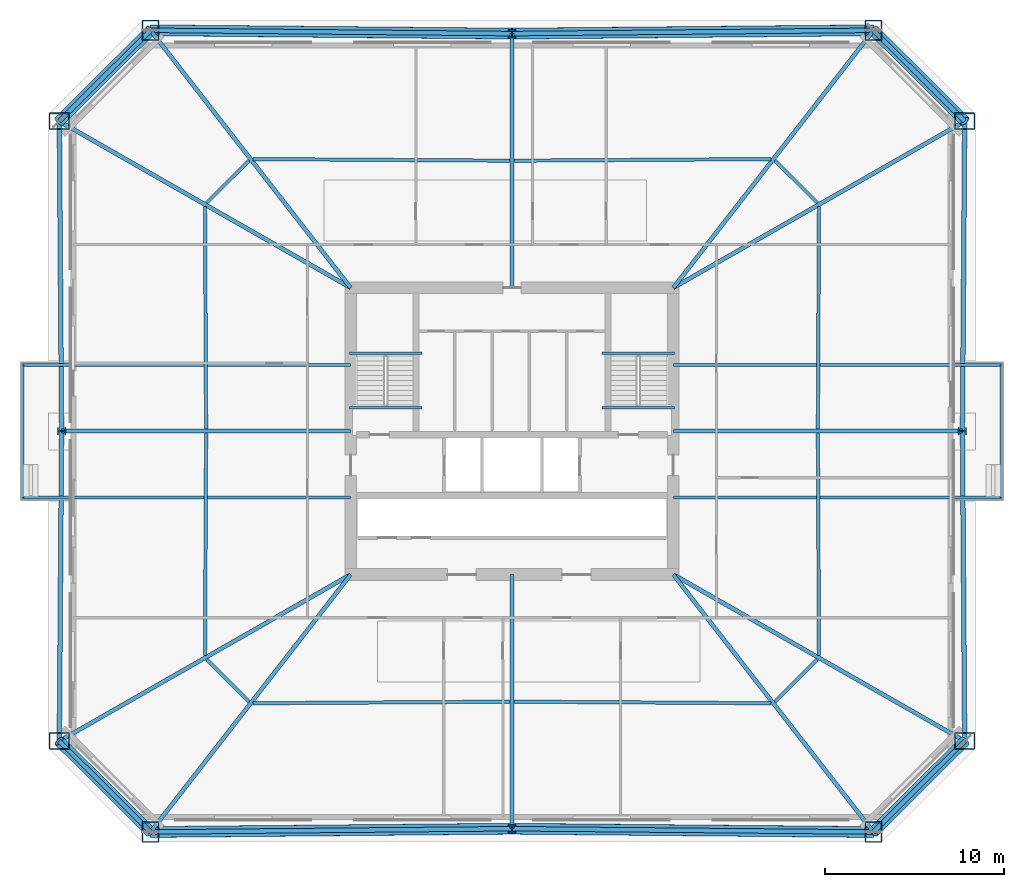
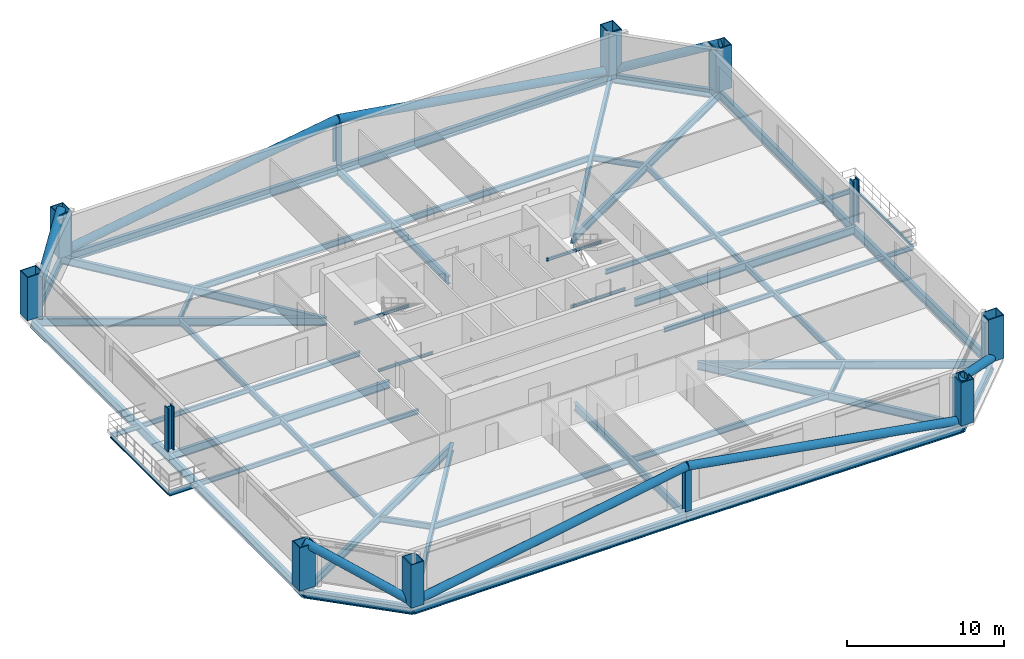
# One storey, part 1 of 10: 46 beams, 12 columns, 8 members.
"""IFC4 building model written with IfcOpenShell, lengths in metres."""

from ifc_helpers import new_model, si_unit, direction, frame, origin, origin_2d, place, context, subcontext, project, spatial, hollow_rectangle, hollow_circle, i_section, extrude, material, material_profile, profile_set, type_object, element, save


model = new_model("IFC4")

# Units and contexts
model_context = context("Model", 3, precision=1e-05, world=origin(), true_north=direction((0.0, 1.0)))
body_context = subcontext(model_context, "Body", "Model", "MODEL_VIEW")
ifc_project = project(units=[si_unit("LENGTHUNIT", "METRE"), si_unit("AREAUNIT", "SQUARE_METRE"), si_unit("VOLUMEUNIT", "CUBIC_METRE"), si_unit("PLANEANGLEUNIT", "RADIAN"), si_unit("MASSUNIT", "GRAM", prefix="KILO")], contexts=[model_context])

# Site, building, storey
site_placement = place(None, origin())
site = spatial("IfcSite", under=ifc_project, at=site_placement, CompositionType="ELEMENT")
building_placement = place(site_placement, origin())
building = spatial("IfcBuilding", under=site, at=building_placement, Name="Caelvoria Tower", CompositionType="ELEMENT")
storey_placement = place(building_placement, frame((0.0, 0.0, 60.39990234375)))
storey = spatial("IfcBuildingStorey", under=building, at=storey_placement, Name="L15", CompositionType="ELEMENT", Elevation=60.39990234375)

# Columns
ifc_material_1 = material(Name="Structural Steel ASTM A913 Gr.65", Category="steel")
ifc_material_profile_1 = material_profile(ifc_material_1, i_section(OverallWidth=0.427978515625, OverallDepth=0.48291015625, WebThickness=0.050537109375, FlangeThickness=0.08154296875, FilletRadius=0.02490234375, at=origin_2d()), Name="Structural Steel ASTM A913 Gr.65")
ifc_profile_set_1 = profile_set([ifc_material_profile_1], Name="W360X677 - Structural Steel ASTM A913 Gr.65")
column_type_1 = type_object("IfcColumnType", Name="Heavy Frame Column W360X677", PredefinedType="COLUMN", material=ifc_profile_set_1)
for number, where, z_axis, x_axis, name in (
    (1, (46.0, 9.820068359375, 0.0), (0.0, 0.0, 1.0), (1.0, 0.0, 0.0), "Perimeter Megaframe Column L15-P01"),
    (2, (71.1298828125, 32.0, 0.0), (0.0, 0.0, 1.0), (0.0, 1.0, 0.0), "Perimeter Megaframe Column L15-P04"),
    (3, (46.0, 54.179931640625, 0.0), (0.0, 0.0, 1.0), (1.0, 0.0, 0.0), "Perimeter Megaframe Column L15-P07"),
    (4, (20.8701171875, 32.0, 0.0), (0.0, 0.0, 1.0), (0.0, 1.0, 0.0), "Perimeter Megaframe Column L15-P10"),
):
    element("IfcColumn", number, at=place(storey_placement, frame(where, z_axis=z_axis, x_axis=x_axis)), inside=storey, type_object=column_type_1, Name=name, PredefinedType="COLUMN", context=body_context, shape_type="SweptSolid", body=[
        extrude(i_section(OverallWidth=0.427978515625, OverallDepth=0.48291015625, WebThickness=0.050537109375, FlangeThickness=0.08154296875, FilletRadius=0.02490234375, at=origin_2d()), origin(), (0.0, 0.0, 1.0), 3.358154296875),
    ])
ifc_material_2 = material(Name="Structural Steel ASTM A572 Gr.50", Category="steel")
ifc_material_profile_2 = material_profile(ifc_material_2, hollow_rectangle(XDim=0.949951171875, YDim=1.14990234375, WallThickness=0.06005859375, at=origin_2d()), Name="Structural Steel ASTM A572 Gr.50")
ifc_profile_set_2 = profile_set([ifc_material_profile_2], Name="BOX1150X950X60 - Structural Steel ASTM A572 Gr.50")
column_type_2 = type_object("IfcColumnType", Name="Mega Box Column 1150x950x60", PredefinedType="COLUMN", material=ifc_profile_set_2)
for number, where, z_axis, x_axis, name in (
    (5, (25.832275390625, 9.634765625, 0.0), (0.0, 0.0, 1.0), (1.0, 0.0, 0.0), "Perimeter Megaframe Column L15-P00"),
    (6, (66.167724609375, 9.634765625, 0.0), (0.0, 0.0, 1.0), (1.0, 0.0, 0.0), "Perimeter Megaframe Column L15-P02"),
    (7, (71.255859375, 14.706787109375, 0.0), (0.0, 0.0, 1.0), (0.0, 1.0, 0.0), "Perimeter Megaframe Column L15-P03"),
    (8, (71.255859375, 49.293212890625, 0.0), (0.0, 0.0, 1.0), (0.0, 1.0, 0.0), "Perimeter Megaframe Column L15-P05"),
    (9, (66.167724609375, 54.365234375, 0.0), (0.0, 0.0, 1.0), (1.0, 0.0, 0.0), "Perimeter Megaframe Column L15-P06"),
    (10, (25.832275390625, 54.365234375, 0.0), (0.0, 0.0, 1.0), (1.0, 0.0, 0.0), "Perimeter Megaframe Column L15-P08"),
    (11, (20.744140625, 49.293212890625, 0.0), (0.0, 0.0, 1.0), (0.0, 1.0, 0.0), "Perimeter Megaframe Column L15-P09"),
    (12, (20.744140625, 14.706787109375, 0.0), (0.0, 0.0, 1.0), (0.0, 1.0, 0.0), "Perimeter Megaframe Column L15-P11"),
):
    element("IfcColumn", number, at=place(storey_placement, frame(where, z_axis=z_axis, x_axis=x_axis)), inside=storey, type_object=column_type_2, Name=name, PredefinedType="COLUMN", context=body_context, shape_type="SweptSolid", body=[
        extrude(hollow_rectangle(XDim=0.949951171875, YDim=1.14990234375, WallThickness=0.06005859375, at=origin_2d()), origin(), (0.0, 0.0, 1.0), 3.358154296875),
    ])

# Beams
ifc_material_3 = material(Name="Structural Steel ASTM A992 Gr.50", Category="steel")
ifc_material_profile_3 = material_profile(ifc_material_3, i_section(OverallWidth=0.134033203125, OverallDepth=0.2099609375, WebThickness=0.00634765625, FlangeThickness=0.01025390625, FilletRadius=0.010009765625, at=origin_2d()), Name="Structural Steel ASTM A992 Gr.50")
ifc_profile_set_3 = profile_set([ifc_material_profile_3], Name="W200X31.3 - Structural Steel ASTM A992 Gr.50")
beam_type_1 = type_object("IfcBeamType", Name="Canopy Edge Trim Beam W200X31.3", PredefinedType="BEAM", material=ifc_profile_set_3)
for number, where, z_axis, x_axis, name in (
    (13, (18.699951171875, 28.300048828125, -0.428955078125), (0.0, 1.0, 0.0), (-1.0, 0.0, 0.0), "Tree Balcony Edge Beam TB-L15-W"),
    (14, (73.300048828125, 28.300048828125, -0.428955078125), (0.0, 1.0, 0.0), (-1.0, 0.0, 0.0), "Tree Balcony Edge Beam TB-L15-E"),
):
    element("IfcBeam", number, at=place(storey_placement, frame(where, z_axis=z_axis, x_axis=x_axis)), inside=storey, type_object=beam_type_1, Name=name, PredefinedType="BEAM", context=body_context, shape_type="SweptSolid", body=[
        extrude(i_section(OverallWidth=0.134033203125, OverallDepth=0.2099609375, WebThickness=0.00634765625, FlangeThickness=0.01025390625, FilletRadius=0.010009765625, at=origin_2d()), origin(), (0.0, 0.0, 1.0), 7.39990234375),
    ])
for number, where, z_axis, x_axis, name in (
    (15, (36.929931640625, 36.35009765625, 1.4951171875), (1.0, 0.0, 0.0), (0.0, 1.0, 0.0), "ST-01 Half-Landing Support Beam L15"),
    (16, (36.929931640625, 33.300048828125, -0.304931640625), (1.0, 0.0, 0.0), (0.0, 1.0, 0.0), "ST-01 Floor-Landing Support Beam L15"),
    (17, (51.030029296875, 36.35009765625, 1.4951171875), (1.0, 0.0, 0.0), (0.0, 1.0, 0.0), "ST-02 Half-Landing Support Beam L15"),
    (18, (51.030029296875, 33.300048828125, -0.304931640625), (1.0, 0.0, 0.0), (0.0, 1.0, 0.0), "ST-02 Floor-Landing Support Beam L15"),
):
    element("IfcBeam", number, at=place(storey_placement, frame(where, z_axis=z_axis, x_axis=x_axis)), inside=storey, type_object=beam_type_1, Name=name, PredefinedType="BEAM", context=body_context, shape_type="SweptSolid", body=[
        extrude(i_section(OverallWidth=0.134033203125, OverallDepth=0.2099609375, WebThickness=0.00634765625, FlangeThickness=0.01025390625, FilletRadius=0.010009765625, at=origin_2d()), origin(), (0.0, 0.0, 1.0), 4.0400390625),
    ])

# Members
ifc_material_profile_4 = material_profile(ifc_material_2, hollow_circle(Radius=0.304931640625, WallThickness=0.02490234375, at=origin_2d()), Name="Structural Steel ASTM A572 Gr.50")
ifc_profile_set_4 = profile_set([ifc_material_profile_4], Name="CHS610X25 - Structural Steel ASTM A572 Gr.50")
member_type = type_object("IfcMemberType", Name="Lower Perimeter Mega Brace CHS610X25", PredefinedType="BRACE", material=ifc_profile_set_4)
for number, where, z_axis, x_axis, name in (
    (19, (71.255859375, 14.706787109375, 0.0), (-0.641529419637, -0.639497802071, 0.42365382671), (0.705984472563, -0.70822731132, 0.0), "Perimeter Chamfer Mega Brace L15 SE"),
    (20, (66.167724609375, 54.365234375, 0.0), (0.641529419637, -0.639497802071, 0.42365382671), (0.705984472563, 0.70822731132, 0.0), "Perimeter Chamfer Mega Brace L15 NE"),
    (21, (20.744140625, 49.293212890625, 0.0), (0.641529419637, 0.639497802071, 0.42365382671), (-0.705984472563, 0.70822731132, 0.0), "Perimeter Chamfer Mega Brace L15 NW"),
    (22, (25.832275390625, 9.634765625, 0.0), (-0.641529419637, 0.639497802071, 0.42365382671), (-0.705984472563, -0.70822731132, 0.0), "Perimeter Chamfer Mega Brace L15 SW"),
):
    element("IfcMember", number, at=place(storey_placement, frame(where, z_axis=z_axis, x_axis=x_axis)), inside=storey, type_object=member_type, Name=name, PredefinedType="BRACE", context=body_context, shape_type="SweptSolid", body=[
        extrude(hollow_circle(Radius=0.304931640625, WallThickness=0.02490234375, at=origin_2d()), origin(), (0.0, 0.0, 1.0), 7.93115234375),
    ])
for number, where, z_axis, x_axis, name in (
    (23, (25.832275390625, 9.634765625, 0.0), (0.986362771854, 0.009062783346, 0.16433608325), (-0.009187695526, 0.999957792235, 0.0), "Perimeter Cardinal Mega Brace L15 SA"),
    (24, (66.167724609375, 9.634765625, 0.0), (-0.986362771854, 0.009062783346, 0.16433608325), (-0.009187695526, -0.999957792235, 0.0), "Perimeter Cardinal Mega Brace L15 SB"),
    (25, (66.167724609375, 54.365234375, 0.0), (-0.986362771854, -0.009062783346, 0.16433608325), (0.009187695526, -0.999957792235, 0.0), "Perimeter Cardinal Mega Brace L15 NA"),
    (26, (25.832275390625, 54.365234375, 0.0), (0.986362771854, -0.009062783346, 0.16433608325), (0.009187695526, 0.999957792235, 0.0), "Perimeter Cardinal Mega Brace L15 NB"),
):
    element("IfcMember", number, at=place(storey_placement, frame(where, z_axis=z_axis, x_axis=x_axis)), inside=storey, type_object=member_type, Name=name, PredefinedType="BRACE", context=body_context, shape_type="SweptSolid", body=[
        extrude(hollow_circle(Radius=0.304931640625, WallThickness=0.02490234375, at=origin_2d()), origin(), (0.0, 0.0, 1.0), 20.446533203125),
    ])

# Beams
ifc_material_profile_5 = material_profile(ifc_material_3, i_section(OverallWidth=0.25390625, OverallDepth=0.68798828125, WebThickness=0.01318359375, FlangeThickness=0.02099609375, FilletRadius=0.01904296875, at=origin_2d()), Name="Structural Steel ASTM A992 Gr.50")
ifc_profile_set_5 = profile_set([ifc_material_profile_5], Name="W690X152 - Structural Steel ASTM A992 Gr.50")
beam_type_2 = type_object("IfcBeamType", Name="Perimeter Spandrel Girder W690X152", PredefinedType="BEAM", material=ifc_profile_set_5)
for number, where, z_axis, x_axis, name in (
    (27, (25.832275390625, 9.634765625, -0.583984375), (0.999957792235, 0.009187695526, 0.0), (-0.009187695526, 0.999957792235, 0.0), "Perimeter Spandrel Girder L15-00"),
    (28, (46.0, 9.820068359375, -0.583984375), (0.999957792235, -0.009187695526, 0.0), (0.009187695526, 0.999957792235, 0.0), "Perimeter Spandrel Girder L15-01"),
):
    element("IfcBeam", number, at=place(storey_placement, frame(where, z_axis=z_axis, x_axis=x_axis)), inside=storey, type_object=beam_type_2, Name=name, PredefinedType="BEAM", context=body_context, shape_type="SweptSolid", body=[
        extrude(i_section(OverallWidth=0.25390625, OverallDepth=0.68798828125, WebThickness=0.01318359375, FlangeThickness=0.02099609375, FilletRadius=0.01904296875, at=origin_2d()), origin(), (0.0, 0.0, 1.0), 20.16845703125),
    ])
beam_1_placement = place(storey_placement, frame((66.167724609375, 9.634765625, -0.583984375), z_axis=(0.70822731132, 0.705984472563, 0.0), x_axis=(-0.705984472563, 0.70822731132, 0.0)))
element("IfcBeam", 29, at=beam_1_placement, inside=storey, type_object=beam_type_2, Name="Perimeter Spandrel Girder L15-02", PredefinedType="BEAM", context=body_context, shape_type="SweptSolid", body=[
    extrude(i_section(OverallWidth=0.25390625, OverallDepth=0.68798828125, WebThickness=0.01318359375, FlangeThickness=0.02099609375, FilletRadius=0.01904296875, at=origin_2d()), origin(), (0.0, 0.0, 1.0), 7.184326171875),
])
for number, where, z_axis, x_axis, name in (
    (30, (71.255859375, 14.706787109375, -0.583984375), (-0.00728454688, 0.999973467336, 0.0), (-0.999973467336, -0.00728454688, 0.0), "Perimeter Spandrel Girder L15-03"),
    (31, (71.1298828125, 32.0, -0.583984375), (0.00728454688, 0.999973467336, 0.0), (-0.999973467336, 0.00728454688, 0.0), "Perimeter Spandrel Girder L15-04"),
):
    element("IfcBeam", number, at=place(storey_placement, frame(where, z_axis=z_axis, x_axis=x_axis)), inside=storey, type_object=beam_type_2, Name=name, PredefinedType="BEAM", context=body_context, shape_type="SweptSolid", body=[
        extrude(i_section(OverallWidth=0.25390625, OverallDepth=0.68798828125, WebThickness=0.01318359375, FlangeThickness=0.02099609375, FilletRadius=0.01904296875, at=origin_2d()), origin(), (0.0, 0.0, 1.0), 17.293701171875),
    ])
beam_2_placement = place(storey_placement, frame((71.255859375, 49.293212890625, -0.583984375), z_axis=(-0.70822731132, 0.705984472563, 0.0), x_axis=(-0.705984472563, -0.70822731132, 0.0)))
element("IfcBeam", 32, at=beam_2_placement, inside=storey, type_object=beam_type_2, Name="Perimeter Spandrel Girder L15-05", PredefinedType="BEAM", context=body_context, shape_type="SweptSolid", body=[
    extrude(i_section(OverallWidth=0.25390625, OverallDepth=0.68798828125, WebThickness=0.01318359375, FlangeThickness=0.02099609375, FilletRadius=0.01904296875, at=origin_2d()), origin(), (0.0, 0.0, 1.0), 7.184326171875),
])
for number, where, z_axis, x_axis, name in (
    (33, (66.167724609375, 54.365234375, -0.583984375), (-0.999957792235, -0.009187695526, 0.0), (0.009187695526, -0.999957792235, 0.0), "Perimeter Spandrel Girder L15-06"),
    (34, (46.0, 54.179931640625, -0.583984375), (-0.999957792235, 0.009187695526, 0.0), (-0.009187695526, -0.999957792235, 0.0), "Perimeter Spandrel Girder L15-07"),
):
    element("IfcBeam", number, at=place(storey_placement, frame(where, z_axis=z_axis, x_axis=x_axis)), inside=storey, type_object=beam_type_2, Name=name, PredefinedType="BEAM", context=body_context, shape_type="SweptSolid", body=[
        extrude(i_section(OverallWidth=0.25390625, OverallDepth=0.68798828125, WebThickness=0.01318359375, FlangeThickness=0.02099609375, FilletRadius=0.01904296875, at=origin_2d()), origin(), (0.0, 0.0, 1.0), 20.16845703125),
    ])
beam_3_placement = place(storey_placement, frame((25.832275390625, 54.365234375, -0.583984375), z_axis=(-0.70822731132, -0.705984472563, 0.0), x_axis=(0.705984472563, -0.70822731132, 0.0)))
element("IfcBeam", 35, at=beam_3_placement, inside=storey, type_object=beam_type_2, Name="Perimeter Spandrel Girder L15-08", PredefinedType="BEAM", context=body_context, shape_type="SweptSolid", body=[
    extrude(i_section(OverallWidth=0.25390625, OverallDepth=0.68798828125, WebThickness=0.01318359375, FlangeThickness=0.02099609375, FilletRadius=0.01904296875, at=origin_2d()), origin(), (0.0, 0.0, 1.0), 7.184326171875),
])
for number, where, z_axis, x_axis, name in (
    (36, (20.744140625, 49.293212890625, -0.583984375), (0.00728454688, -0.999973467336, 0.0), (0.999973467336, 0.00728454688, 0.0), "Perimeter Spandrel Girder L15-09"),
    (37, (20.8701171875, 32.0, -0.583984375), (-0.00728454688, -0.999973467336, 0.0), (0.999973467336, -0.00728454688, 0.0), "Perimeter Spandrel Girder L15-10"),
):
    element("IfcBeam", number, at=place(storey_placement, frame(where, z_axis=z_axis, x_axis=x_axis)), inside=storey, type_object=beam_type_2, Name=name, PredefinedType="BEAM", context=body_context, shape_type="SweptSolid", body=[
        extrude(i_section(OverallWidth=0.25390625, OverallDepth=0.68798828125, WebThickness=0.01318359375, FlangeThickness=0.02099609375, FilletRadius=0.01904296875, at=origin_2d()), origin(), (0.0, 0.0, 1.0), 17.293701171875),
    ])
beam_4_placement = place(storey_placement, frame((20.744140625, 14.706787109375, -0.583984375), z_axis=(0.70822731132, -0.705984472563, 0.0), x_axis=(0.705984472563, 0.70822731132, 0.0)))
element("IfcBeam", 38, at=beam_4_placement, inside=storey, type_object=beam_type_2, Name="Perimeter Spandrel Girder L15-11", PredefinedType="BEAM", context=body_context, shape_type="SweptSolid", body=[
    extrude(i_section(OverallWidth=0.25390625, OverallDepth=0.68798828125, WebThickness=0.01318359375, FlangeThickness=0.02099609375, FilletRadius=0.01904296875, at=origin_2d()), origin(), (0.0, 0.0, 1.0), 7.184326171875),
])
ifc_material_profile_6 = material_profile(ifc_material_3, i_section(OverallWidth=0.22900390625, OverallDepth=0.612060546875, WebThickness=0.011962890625, FlangeThickness=0.01953125, FilletRadius=0.01806640625, at=origin_2d()), Name="Structural Steel ASTM A992 Gr.50")
ifc_profile_set_6 = profile_set([ifc_material_profile_6], Name="W610X125 - Structural Steel ASTM A992 Gr.50")
beam_type_3 = type_object("IfcBeamType", Name="Primary Radial Floor Girder W610X125", PredefinedType="BEAM", material=ifc_profile_set_6)
beam_5_placement = place(storey_placement, frame((37.0, 24.0, -0.5458984375), z_axis=(-0.613761317889, -0.789491636854, 0.0), x_axis=(0.789491636854, -0.613761317889, 0.0)))
element("IfcBeam", 39, at=beam_5_placement, inside=storey, type_object=beam_type_3, Name="Primary Floor Girder L15-00", PredefinedType="BEAM", context=body_context, shape_type="SweptSolid", body=[
    extrude(i_section(OverallWidth=0.22900390625, OverallDepth=0.612060546875, WebThickness=0.011962890625, FlangeThickness=0.01953125, FilletRadius=0.01806640625, at=origin_2d()), origin(), (0.0, 0.0, 1.0), 18.195556640625),
])
beam_6_placement = place(storey_placement, frame((46.0, 24.0, -0.5458984375), z_axis=(0.0, -1.0, 0.0), x_axis=(1.0, 0.0, 0.0)))
element("IfcBeam", 40, at=beam_6_placement, inside=storey, type_object=beam_type_3, Name="Primary Floor Girder L15-01", PredefinedType="BEAM", context=body_context, shape_type="SweptSolid", body=[
    extrude(i_section(OverallWidth=0.22900390625, OverallDepth=0.612060546875, WebThickness=0.011962890625, FlangeThickness=0.01953125, FilletRadius=0.01806640625, at=origin_2d()), origin(), (0.0, 0.0, 1.0), 14.179931640625),
])
beam_7_placement = place(storey_placement, frame((55.0, 24.0, -0.5458984375), z_axis=(0.613761317889, -0.789491636854, 0.0), x_axis=(0.789491636854, 0.613761317889, 0.0)))
element("IfcBeam", 41, at=beam_7_placement, inside=storey, type_object=beam_type_3, Name="Primary Floor Girder L15-02", PredefinedType="BEAM", context=body_context, shape_type="SweptSolid", body=[
    extrude(i_section(OverallWidth=0.22900390625, OverallDepth=0.612060546875, WebThickness=0.011962890625, FlangeThickness=0.01953125, FilletRadius=0.01806640625, at=origin_2d()), origin(), (0.0, 0.0, 1.0), 18.195556640625),
])
beam_8_placement = place(storey_placement, frame((55.0, 24.0, -0.5458984375), z_axis=(0.86814764497, -0.496306021053, 0.0), x_axis=(0.496306021053, 0.86814764497, 0.0)))
element("IfcBeam", 42, at=beam_8_placement, inside=storey, type_object=beam_type_3, Name="Primary Floor Girder L15-03", PredefinedType="BEAM", context=body_context, shape_type="SweptSolid", body=[
    extrude(i_section(OverallWidth=0.22900390625, OverallDepth=0.612060546875, WebThickness=0.011962890625, FlangeThickness=0.01953125, FilletRadius=0.01806640625, at=origin_2d()), origin(), (0.0, 0.0, 1.0), 18.724853515625),
])
beam_9_placement = place(storey_placement, frame((55.0, 32.0, -0.5458984375), z_axis=(1.0, 0.0, 0.0), x_axis=(0.0, 1.0, 0.0)))
element("IfcBeam", 43, at=beam_9_placement, inside=storey, type_object=beam_type_3, Name="Primary Floor Girder L15-04", PredefinedType="BEAM", context=body_context, shape_type="SweptSolid", body=[
    extrude(i_section(OverallWidth=0.22900390625, OverallDepth=0.612060546875, WebThickness=0.011962890625, FlangeThickness=0.01953125, FilletRadius=0.01806640625, at=origin_2d()), origin(), (0.0, 0.0, 1.0), 16.1298828125),
])
beam_10_placement = place(storey_placement, frame((55.0, 40.0, -0.5458984375), z_axis=(0.86814764497, 0.496306021053, 0.0), x_axis=(-0.496306021053, 0.86814764497, 0.0)))
element("IfcBeam", 44, at=beam_10_placement, inside=storey, type_object=beam_type_3, Name="Primary Floor Girder L15-05", PredefinedType="BEAM", context=body_context, shape_type="SweptSolid", body=[
    extrude(i_section(OverallWidth=0.22900390625, OverallDepth=0.612060546875, WebThickness=0.011962890625, FlangeThickness=0.01953125, FilletRadius=0.01806640625, at=origin_2d()), origin(), (0.0, 0.0, 1.0), 18.724853515625),
])
beam_11_placement = place(storey_placement, frame((55.0, 40.0, -0.5458984375), z_axis=(0.613761317889, 0.789491636854, 0.0), x_axis=(-0.789491636854, 0.613761317889, 0.0)))
element("IfcBeam", 45, at=beam_11_placement, inside=storey, type_object=beam_type_3, Name="Primary Floor Girder L15-06", PredefinedType="BEAM", context=body_context, shape_type="SweptSolid", body=[
    extrude(i_section(OverallWidth=0.22900390625, OverallDepth=0.612060546875, WebThickness=0.011962890625, FlangeThickness=0.01953125, FilletRadius=0.01806640625, at=origin_2d()), origin(), (0.0, 0.0, 1.0), 18.195556640625),
])
beam_12_placement = place(storey_placement, frame((46.0, 40.0, -0.5458984375), z_axis=(0.0, 1.0, 0.0), x_axis=(-1.0, 0.0, 0.0)))
element("IfcBeam", 46, at=beam_12_placement, inside=storey, type_object=beam_type_3, Name="Primary Floor Girder L15-07", PredefinedType="BEAM", context=body_context, shape_type="SweptSolid", body=[
    extrude(i_section(OverallWidth=0.22900390625, OverallDepth=0.612060546875, WebThickness=0.011962890625, FlangeThickness=0.01953125, FilletRadius=0.01806640625, at=origin_2d()), origin(), (0.0, 0.0, 1.0), 14.179931640625),
])
beam_13_placement = place(storey_placement, frame((37.0, 40.0, -0.5458984375), z_axis=(-0.613761317889, 0.789491636854, 0.0), x_axis=(-0.789491636854, -0.613761317889, 0.0)))
element("IfcBeam", 47, at=beam_13_placement, inside=storey, type_object=beam_type_3, Name="Primary Floor Girder L15-08", PredefinedType="BEAM", context=body_context, shape_type="SweptSolid", body=[
    extrude(i_section(OverallWidth=0.22900390625, OverallDepth=0.612060546875, WebThickness=0.011962890625, FlangeThickness=0.01953125, FilletRadius=0.01806640625, at=origin_2d()), origin(), (0.0, 0.0, 1.0), 18.195556640625),
])
beam_14_placement = place(storey_placement, frame((37.0, 40.0, -0.5458984375), z_axis=(-0.86814764497, 0.496306021053, 0.0), x_axis=(-0.496306021053, -0.86814764497, 0.0)))
element("IfcBeam", 48, at=beam_14_placement, inside=storey, type_object=beam_type_3, Name="Primary Floor Girder L15-09", PredefinedType="BEAM", context=body_context, shape_type="SweptSolid", body=[
    extrude(i_section(OverallWidth=0.22900390625, OverallDepth=0.612060546875, WebThickness=0.011962890625, FlangeThickness=0.01953125, FilletRadius=0.01806640625, at=origin_2d()), origin(), (0.0, 0.0, 1.0), 18.724853515625),
])
beam_15_placement = place(storey_placement, frame((37.0, 32.0, -0.5458984375), z_axis=(-1.0, 0.0, 0.0), x_axis=(0.0, -1.0, 0.0)))
element("IfcBeam", 49, at=beam_15_placement, inside=storey, type_object=beam_type_3, Name="Primary Floor Girder L15-10", PredefinedType="BEAM", context=body_context, shape_type="SweptSolid", body=[
    extrude(i_section(OverallWidth=0.22900390625, OverallDepth=0.612060546875, WebThickness=0.011962890625, FlangeThickness=0.01953125, FilletRadius=0.01806640625, at=origin_2d()), origin(), (0.0, 0.0, 1.0), 16.1298828125),
])
beam_16_placement = place(storey_placement, frame((37.0, 24.0, -0.5458984375), z_axis=(-0.86814764497, -0.496306021053, 0.0), x_axis=(0.496306021053, -0.86814764497, 0.0)))
element("IfcBeam", 50, at=beam_16_placement, inside=storey, type_object=beam_type_3, Name="Primary Floor Girder L15-11", PredefinedType="BEAM", context=body_context, shape_type="SweptSolid", body=[
    extrude(i_section(OverallWidth=0.22900390625, OverallDepth=0.612060546875, WebThickness=0.011962890625, FlangeThickness=0.01953125, FilletRadius=0.01806640625, at=origin_2d()), origin(), (0.0, 0.0, 1.0), 18.724853515625),
])
ifc_material_profile_7 = material_profile(ifc_material_3, i_section(OverallWidth=0.18994140625, OverallDepth=0.45703125, WebThickness=0.009033203125, FlangeThickness=0.014404296875, FilletRadius=0.014892578125, at=origin_2d()), Name="Structural Steel ASTM A992 Gr.50")
ifc_profile_set_7 = profile_set([ifc_material_profile_7], Name="W460X74 - Structural Steel ASTM A992 Gr.50")
beam_type_4 = type_object("IfcBeamType", Name="Secondary Floor Beam W460X74", PredefinedType="BEAM", material=ifc_profile_set_7)
for number, where, z_axis, x_axis, name in (
    (51, (31.541015625, 16.818115234375, -0.468505859375), (0.999979820018, 0.00635291717, 0.0), (-0.00635291717, 0.999979820018, 0.0), "Secondary Floor Beam L15-00"),
    (52, (46.125, 16.9091796875, -0.468505859375), (0.999979820018, -0.00635291717, 0.0), (0.00635291717, 0.999979820018, 0.0), "Secondary Floor Beam L15-01"),
):
    element("IfcBeam", number, at=place(storey_placement, frame(where, z_axis=z_axis, x_axis=x_axis)), inside=storey, type_object=beam_type_4, Name=name, PredefinedType="BEAM", context=body_context, shape_type="SweptSolid", body=[
        extrude(i_section(OverallWidth=0.18994140625, OverallDepth=0.45703125, WebThickness=0.009033203125, FlangeThickness=0.014404296875, FilletRadius=0.014892578125, at=origin_2d()), origin(), (0.0, 0.0, 1.0), 14.334228515625),
    ])
beam_17_placement = place(storey_placement, frame((60.67236328125, 16.905517578125, -0.468505859375), z_axis=(0.708201654231, 0.706010210226, 0.0), x_axis=(-0.706010210226, 0.708201654231, 0.0)))
element("IfcBeam", 53, at=beam_17_placement, inside=storey, type_object=beam_type_4, Name="Secondary Floor Beam L15-02", PredefinedType="BEAM", context=body_context, shape_type="SweptSolid", body=[
    extrude(i_section(OverallWidth=0.18994140625, OverallDepth=0.45703125, WebThickness=0.009033203125, FlangeThickness=0.014404296875, FilletRadius=0.014892578125, at=origin_2d()), origin(), (0.0, 0.0, 1.0), 3.34228515625),
])
for number, where, z_axis, x_axis, name in (
    (54, (63.127197265625, 19.478515625, -0.468505859375), (-0.004962913513, 0.999987684669, 0.0), (-0.999987684669, -0.004962913513, 0.0), "Secondary Floor Beam L15-03"),
    (55, (63.065673828125, 32.125, -0.468505859375), (0.004962913513, 0.999987684669, 0.0), (-0.999987684669, 0.004962913513, 0.0), "Secondary Floor Beam L15-04"),
):
    element("IfcBeam", number, at=place(storey_placement, frame(where, z_axis=z_axis, x_axis=x_axis)), inside=storey, type_object=beam_type_4, Name=name, PredefinedType="BEAM", context=body_context, shape_type="SweptSolid", body=[
        extrude(i_section(OverallWidth=0.18994140625, OverallDepth=0.45703125, WebThickness=0.009033203125, FlangeThickness=0.014404296875, FilletRadius=0.014892578125, at=origin_2d()), origin(), (0.0, 0.0, 1.0), 12.396728515625),
    ])
beam_18_placement = place(storey_placement, frame((63.039306640625, 44.73486328125, -0.468505859375), z_axis=(-0.708201654231, 0.706010210226, 0.0), x_axis=(-0.706010210226, -0.708201654231, 0.0)))
element("IfcBeam", 56, at=beam_18_placement, inside=storey, type_object=beam_type_4, Name="Secondary Floor Beam L15-05", PredefinedType="BEAM", context=body_context, shape_type="SweptSolid", body=[
    extrude(i_section(OverallWidth=0.18994140625, OverallDepth=0.45703125, WebThickness=0.009033203125, FlangeThickness=0.014404296875, FilletRadius=0.014892578125, at=origin_2d()), origin(), (0.0, 0.0, 1.0), 3.34228515625),
])
for number, where, z_axis, x_axis, name in (
    (57, (60.458984375, 47.181884765625, -0.468505859375), (-0.999979820018, -0.00635291717, 0.0), (0.00635291717, -0.999979820018, 0.0), "Secondary Floor Beam L15-06"),
    (58, (45.875, 47.0908203125, -0.468505859375), (-0.999979820018, 0.00635291717, 0.0), (-0.00635291717, -0.999979820018, 0.0), "Secondary Floor Beam L15-07"),
):
    element("IfcBeam", number, at=place(storey_placement, frame(where, z_axis=z_axis, x_axis=x_axis)), inside=storey, type_object=beam_type_4, Name=name, PredefinedType="BEAM", context=body_context, shape_type="SweptSolid", body=[
        extrude(i_section(OverallWidth=0.18994140625, OverallDepth=0.45703125, WebThickness=0.009033203125, FlangeThickness=0.014404296875, FilletRadius=0.014892578125, at=origin_2d()), origin(), (0.0, 0.0, 1.0), 14.334228515625),
    ])
beam_19_placement = place(storey_placement, frame((31.32763671875, 47.094482421875, -0.468505859375), z_axis=(-0.708201654231, -0.706010210226, 0.0), x_axis=(0.706010210226, -0.708201654231, 0.0)))
element("IfcBeam", 59, at=beam_19_placement, inside=storey, type_object=beam_type_4, Name="Secondary Floor Beam L15-08", PredefinedType="BEAM", context=body_context, shape_type="SweptSolid", body=[
    extrude(i_section(OverallWidth=0.18994140625, OverallDepth=0.45703125, WebThickness=0.009033203125, FlangeThickness=0.014404296875, FilletRadius=0.014892578125, at=origin_2d()), origin(), (0.0, 0.0, 1.0), 3.34228515625),
])
for number, where, z_axis, x_axis, name in (
    (60, (28.872802734375, 44.521484375, -0.468505859375), (0.004962913513, -0.999987684669, 0.0), (0.999987684669, 0.004962913513, 0.0), "Secondary Floor Beam L15-09"),
    (61, (28.934326171875, 31.875, -0.468505859375), (-0.004962913513, -0.999987684669, 0.0), (0.999987684669, -0.004962913513, 0.0), "Secondary Floor Beam L15-10"),
):
    element("IfcBeam", number, at=place(storey_placement, frame(where, z_axis=z_axis, x_axis=x_axis)), inside=storey, type_object=beam_type_4, Name=name, PredefinedType="BEAM", context=body_context, shape_type="SweptSolid", body=[
        extrude(i_section(OverallWidth=0.18994140625, OverallDepth=0.45703125, WebThickness=0.009033203125, FlangeThickness=0.014404296875, FilletRadius=0.014892578125, at=origin_2d()), origin(), (0.0, 0.0, 1.0), 12.396728515625),
    ])
beam_20_placement = place(storey_placement, frame((28.960693359375, 19.26513671875, -0.468505859375), z_axis=(0.708201654231, -0.706010210226, 0.0), x_axis=(0.706010210226, 0.708201654231, 0.0)))
element("IfcBeam", 62, at=beam_20_placement, inside=storey, type_object=beam_type_4, Name="Secondary Floor Beam L15-11", PredefinedType="BEAM", context=body_context, shape_type="SweptSolid", body=[
    extrude(i_section(OverallWidth=0.18994140625, OverallDepth=0.45703125, WebThickness=0.009033203125, FlangeThickness=0.014404296875, FilletRadius=0.014892578125, at=origin_2d()), origin(), (0.0, 0.0, 1.0), 3.34228515625),
])
ifc_material_profile_8 = material_profile(ifc_material_3, i_section(OverallWidth=0.1708984375, OverallDepth=0.35498046875, WebThickness=0.007080078125, FlangeThickness=0.01171875, FilletRadius=0.012939453125, at=origin_2d()), Name="Structural Steel ASTM A992 Gr.50")
ifc_profile_set_8 = profile_set([ifc_material_profile_8], Name="W360X51 - Structural Steel ASTM A992 Gr.50")
beam_type_5 = type_object("IfcBeamType", Name="Tree Balcony Cantilever Beam W360X51", PredefinedType="BEAM", material=ifc_profile_set_8)
for number, where, z_axis, x_axis, name in (
    (63, (37.0, 28.300048828125, -0.428955078125), (-1.0, 0.0, 0.0), (0.0, -1.0, 0.0), "Tree Balcony Cantilever Beam TB-L15-W L"),
    (64, (37.0, 35.699951171875, -0.428955078125), (-1.0, 0.0, 0.0), (0.0, -1.0, 0.0), "Tree Balcony Cantilever Beam TB-L15-W R"),
    (65, (55.0, 28.300048828125, -0.428955078125), (1.0, 0.0, 0.0), (0.0, 1.0, 0.0), "Tree Balcony Cantilever Beam TB-L15-E L"),
    (66, (55.0, 35.699951171875, -0.428955078125), (1.0, 0.0, 0.0), (0.0, 1.0, 0.0), "Tree Balcony Cantilever Beam TB-L15-E R"),
):
    element("IfcBeam", number, at=place(storey_placement, frame(where, z_axis=z_axis, x_axis=x_axis)), inside=storey, type_object=beam_type_5, Name=name, PredefinedType="BEAM", context=body_context, shape_type="SweptSolid", body=[
        extrude(i_section(OverallWidth=0.1708984375, OverallDepth=0.35498046875, WebThickness=0.007080078125, FlangeThickness=0.01171875, FilletRadius=0.012939453125, at=origin_2d()), origin(), (0.0, 0.0, 1.0), 18.300048828125),
    ])

save(model, "model.ifc")
